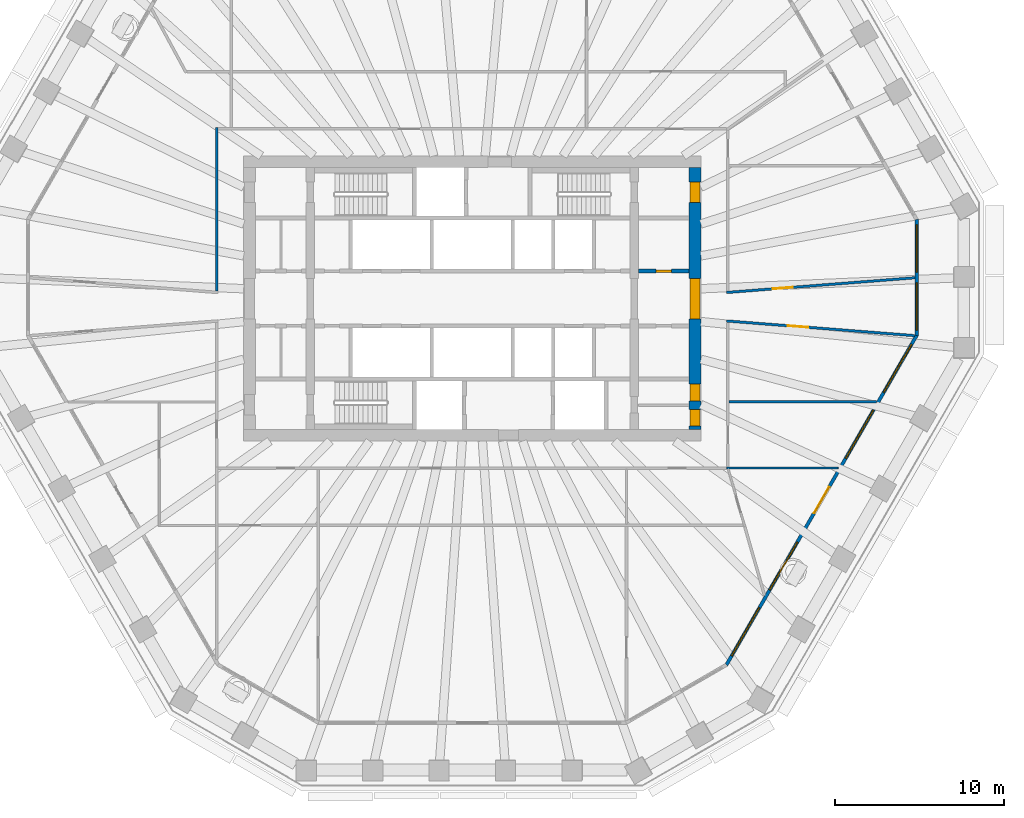
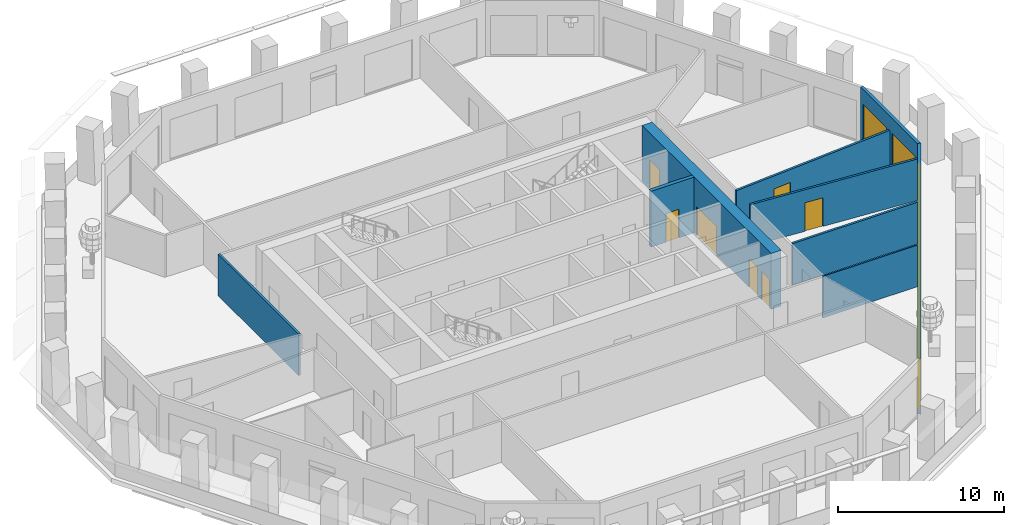
# One storey, part 6 of 13: 9 walls, 8 doors, 7 windows, 15 openings.
"""IFC4 building model written with IfcOpenShell, lengths in metres."""

from ifc_helpers import new_model, si_unit, direction, frame, frame_2d, origin, place, context, subcontext, project, spatial, polyline, rectangle, outline, extrude, material, layer, layer_set, type_object, element, fill, save


model = new_model("IFC4")

# Units and contexts
model_context = context("Model", 3, precision=1e-05, world=origin(), true_north=direction((0.0, 1.0)))
body_context = subcontext(model_context, "Body", "Model", "MODEL_VIEW")
ifc_project = project(units=[si_unit("LENGTHUNIT", "METRE"), si_unit("AREAUNIT", "SQUARE_METRE"), si_unit("VOLUMEUNIT", "CUBIC_METRE"), si_unit("PLANEANGLEUNIT", "RADIAN"), si_unit("MASSUNIT", "GRAM", prefix="KILO")], contexts=[model_context])

# Site, building, storey
site_placement = place(None, origin())
site = spatial("IfcSite", under=ifc_project, at=site_placement, CompositionType="ELEMENT")
building_placement = place(site_placement, origin())
building = spatial("IfcBuilding", under=site, at=building_placement, Name="Frailejon Research Tower", CompositionType="ELEMENT")
storey_placement = place(building_placement, frame((0.0, 0.0, 184.800048828125)))
storey = spatial("IfcBuildingStorey", under=building, at=storey_placement, Name="L40", CompositionType="ELEMENT", Elevation=184.800048828125)

# Wall, openings, doors
ifc_material_1 = material(Name="Concrete C60/75", Category="concrete")
ifc_layer_1 = layer(ifc_material_1, 0.699951171875)
ifc_layer_set_1 = layer_set([ifc_layer_1], Name="Core shear wall 700 C60/75")
wall_type_1 = type_object("IfcWallType", Name="Core shear wall 700 C60/75", PredefinedType="SHEAR", material=ifc_layer_set_1)
wall_1_placement = place(storey_placement, frame((13.199951171875, -7.75, 0.0), z_axis=(0.0, 0.0, 1.0), x_axis=(0.0, 1.0, 0.0)))
wall_1 = element("IfcWall", 1, at=wall_1_placement, inside=storey, type_object=wall_type_1, Name="Core shear wall", PredefinedType="SHEAR", context=body_context, shape_type="SweptSolid", body=[
    extrude(rectangle(XDim=15.5, YDim=0.699951171875, at=frame_2d((7.75, 0.0))), origin(), (0.0, 0.0, 1.0), 4.099853515625),
])
opening_1_placement = place(wall_1_placement, frame((6.550048828125, 0.0, 0.0)))
opening_1 = element("IfcOpeningElement", 2, at=opening_1_placement, cuts=wall_1, Name="Opening D2", PredefinedType="OPENING", context=body_context, shape_type="SweptSolid", body=[
    extrude(rectangle(XDim=2.39990234375, YDim=2.10009765625, at=frame_2d((1.199951171875, 1.050048828125))), frame((0.0, 0.35986328125, 0.0), z_axis=(0.0, -1.0, 0.0), x_axis=(1.0, 0.0, 0.0)), (0.0, 0.0, 1.0), 0.719970703125),
])
opening_2_placement = place(wall_1_placement, frame((13.449951171875, 0.0, 0.0)))
opening_2 = element("IfcOpeningElement", 3, at=opening_2_placement, cuts=wall_1, Name="Opening D7", PredefinedType="OPENING", context=body_context, shape_type="SweptSolid", body=[
    extrude(rectangle(XDim=1.199951171875, YDim=2.10009765625, at=frame_2d((0.60009765625, 1.050048828125))), frame((0.0, 0.35986328125, 0.0), z_axis=(0.0, -1.0, 0.0), x_axis=(1.0, 0.0, 0.0)), (0.0, 0.0, 1.0), 0.719970703125),
])
opening_3_placement = place(wall_1_placement, frame((0.181396484375, 0.0, 0.0)))
opening_3 = element("IfcOpeningElement", 4, at=opening_3_placement, cuts=wall_1, Name="Opening D4", PredefinedType="OPENING", context=body_context, shape_type="SweptSolid", body=[
    extrude(rectangle(XDim=1.0, YDim=2.10009765625, at=frame_2d((0.5, 1.050048828125))), frame((0.0, 0.35986328125, 0.0), z_axis=(0.0, -1.0, 0.0), x_axis=(1.0, 0.0, 0.0)), (0.0, 0.0, 1.0), 0.719970703125),
])
opening_4_placement = place(wall_1_placement, frame((1.668701171875, 0.0, 0.0)))
opening_4 = element("IfcOpeningElement", 5, at=opening_4_placement, cuts=wall_1, Name="Opening D4", PredefinedType="OPENING", context=body_context, shape_type="SweptSolid", body=[
    extrude(rectangle(XDim=1.0, YDim=2.10009765625, at=frame_2d((0.5, 1.050048828125))), frame((0.0, 0.35986328125, 0.0), z_axis=(0.0, -1.0, 0.0), x_axis=(1.0, 0.0, 0.0)), (0.0, 0.0, 1.0), 0.719970703125),
])
ifc_material_2 = material(Name="Steel", Category="steel")
door_type_1 = type_object("IfcDoorType", Name="Lobby double door", OperationType="DOUBLE_DOOR_SINGLE_SWING", PredefinedType="DOOR", material=ifc_material_2)
door_1_placement = place(opening_1_placement, origin())
door_1 = element("IfcDoor", 6, at=door_1_placement, inside=storey, type_object=door_type_1, Name="Lobby door", OperationType="DOUBLE_DOOR_SINGLE_SWING", OverallHeight=2.10009765625, OverallWidth=2.39990234375, PredefinedType="DOOR", context=body_context, shape_type="SweptSolid", body=[
    extrude(rectangle(XDim=2.39990234375, YDim=2.10009765625, at=frame_2d((1.199951171875, 1.050048828125))), frame((0.0, 0.300048828125, 0.0), z_axis=(0.0, -1.0, 0.0), x_axis=(1.0, 0.0, 0.0)), (0.0, 0.0, 1.0), 0.60009765625),
])
fill(opening_1, door_1)
ifc_material_3 = material(Name="Steel", Category="steel")
door_type_2 = type_object("IfcDoorType", Name="Service door", OperationType="SINGLE_SWING_LEFT", PredefinedType="DOOR", material=ifc_material_3)
door_2_placement = place(opening_3_placement, origin())
door_2 = element("IfcDoor", 7, at=door_2_placement, inside=storey, type_object=door_type_2, Name="Store door", OperationType="SINGLE_SWING_RIGHT", OverallHeight=2.10009765625, OverallWidth=1.0, PredefinedType="DOOR", context=body_context, shape_type="SweptSolid", body=[
    extrude(rectangle(XDim=1.0, YDim=2.10009765625, at=frame_2d((0.5, 1.050048828125))), frame((0.0, 0.300048828125, 0.0), z_axis=(0.0, -1.0, 0.0), x_axis=(1.0, 0.0, 0.0)), (0.0, 0.0, 1.0), 0.60009765625),
])
fill(opening_3, door_2)
door_3_placement = place(opening_4_placement, origin())
door_3 = element("IfcDoor", 8, at=door_3_placement, inside=storey, type_object=door_type_2, Name="Store door", OperationType="SINGLE_SWING_LEFT", OverallHeight=2.10009765625, OverallWidth=1.0, PredefinedType="DOOR", context=body_context, shape_type="SweptSolid", body=[
    extrude(rectangle(XDim=1.0, YDim=2.10009765625, at=frame_2d((0.5, 1.050048828125))), frame((0.0, 0.300048828125, 0.0), z_axis=(0.0, -1.0, 0.0), x_axis=(1.0, 0.0, 0.0)), (0.0, 0.0, 1.0), 0.60009765625),
])
fill(opening_4, door_3)
ifc_material_4 = material(Name="Steel", Category="steel")
door_type_3 = type_object("IfcDoorType", Name="Stair exit door", OperationType="SINGLE_SWING_LEFT", PredefinedType="DOOR", material=ifc_material_4)
door_4_placement = place(opening_2_placement, origin())
door_4 = element("IfcDoor", 9, at=door_4_placement, inside=storey, type_object=door_type_3, Name="Stair exit door ST3", OperationType="SINGLE_SWING_RIGHT", OverallHeight=2.10009765625, OverallWidth=1.199951171875, PredefinedType="DOOR", context=body_context, shape_type="SweptSolid", body=[
    extrude(rectangle(XDim=1.199951171875, YDim=2.10009765625, at=frame_2d((0.60009765625, 1.050048828125))), frame((0.0, 0.300048828125, 0.0), z_axis=(0.0, -1.0, 0.0), x_axis=(1.0, 0.0, 0.0)), (0.0, 0.0, 1.0), 0.60009765625),
])
fill(opening_2, door_4)

# Wall
ifc_material_5 = material(Name="Gypsum board and masonry partition", Category="masonry")
ifc_layer_2 = layer(ifc_material_5, 0.14990234375)
ifc_layer_set_2 = layer_set([ifc_layer_2], Name="Corridor wall EI 60, gypsum on steel studs 150")
wall_type_2 = type_object("IfcWallType", Name="Corridor wall EI 60, gypsum on steel studs 150", PredefinedType="PARTITIONING", material=ifc_layer_set_2)
wall_2_placement = place(storey_placement, frame((-15.14990234375, 0.4375, 0.0), z_axis=(0.0, 0.0, 1.0), x_axis=(0.0, 1.0, 0.0)))
element("IfcWall", 10, at=wall_2_placement, inside=storey, type_object=wall_type_2, Name="T:IW:L40:005", PredefinedType="PARTITIONING", context=body_context, shape_type="SweptSolid", body=[
    extrude(rectangle(XDim=9.6875, YDim=0.14990234375, at=frame_2d((4.84375, 0.0))), origin(), (0.0, 0.0, 1.0), 3.050048828125),
])

# Wall, opening, door
wall_3_placement = place(storey_placement, frame((15.0751953125, 0.356689453125, 0.0), z_axis=(0.0, 0.0, 1.0), x_axis=(0.996958619643, 0.077932732014, 0.0)))
wall_3 = element("IfcWall", 11, at=wall_3_placement, inside=storey, type_object=wall_type_2, Name="T:IW:L40:009", PredefinedType="PARTITIONING", context=body_context, shape_type="SweptSolid", body=[
    extrude(rectangle(XDim=11.18994140625, YDim=0.14990234375, at=frame_2d((5.594970703125, 0.0))), origin(), (0.0, 0.0, 1.0), 3.050048828125),
])
opening_5_placement = place(wall_3_placement, frame((2.728759765625, 0.0, 0.0)))
opening_5 = element("IfcOpeningElement", 12, at=opening_5_placement, cuts=wall_3, Name="Opening D1863", PredefinedType="OPENING", context=body_context, shape_type="SweptSolid", body=[
    extrude(rectangle(XDim=1.199951171875, YDim=2.10009765625, at=frame_2d((0.60009765625, 1.050048828125))), frame((0.0, 0.0849609375, 0.0), z_axis=(0.0, -1.0, 0.0), x_axis=(1.0, 0.0, 0.0)), (0.0, 0.0, 1.0), 0.169921875),
])
ifc_material_6 = material(Name="Timber door leaf", Category="wood")
door_type_4 = type_object("IfcDoorType", Name="Door laboratory, timber, vision panel 1200", OperationType="NOTDEFINED", PredefinedType="DOOR", material=ifc_material_6)
door_5_placement = place(opening_5_placement, origin())
door_5 = element("IfcDoor", 13, at=door_5_placement, inside=storey, type_object=door_type_4, Name="D1863", OperationType="DOUBLE_DOOR_SINGLE_SWING", OverallHeight=2.10009765625, OverallWidth=1.199951171875, PredefinedType="DOOR", context=body_context, shape_type="SweptSolid", body=[
    extrude(rectangle(XDim=1.199951171875, YDim=2.10009765625, at=frame_2d((0.60009765625, 1.050048828125))), frame((0.0, 0.02490234375, 0.0), z_axis=(0.0, -1.0, 0.0), x_axis=(1.0, 0.0, 0.0)), (0.0, 0.0, 1.0), 0.050048828125),
])
fill(opening_5, door_5)

wall_4_placement = place(storey_placement, frame((15.0751953125, -1.331787109375, 0.0), z_axis=(0.0, 0.0, 1.0), x_axis=(0.9969573922, -0.077948432559, 0.0)))
wall_4 = element("IfcWall", 14, at=wall_4_placement, inside=storey, type_object=wall_type_2, Name="T:IW:L40:010", PredefinedType="PARTITIONING", context=body_context, shape_type="SweptSolid", body=[
    extrude(rectangle(XDim=11.1689453125, YDim=0.14990234375, at=frame_2d((5.58447265625, 0.0))), origin(), (0.0, 0.0, 1.0), 3.050048828125),
])
opening_6_placement = place(wall_4_placement, frame((3.642822265625, 0.0, 0.0)))
opening_6 = element("IfcOpeningElement", 15, at=opening_6_placement, cuts=wall_4, Name="Opening D1882", PredefinedType="OPENING", context=body_context, shape_type="SweptSolid", body=[
    extrude(rectangle(XDim=1.199951171875, YDim=2.10009765625, at=frame_2d((0.60009765625, 1.050048828125))), frame((0.0, 0.0849609375, 0.0), z_axis=(0.0, -1.0, 0.0), x_axis=(1.0, 0.0, 0.0)), (0.0, 0.0, 1.0), 0.169921875),
])
door_6_placement = place(opening_6_placement, origin())
door_6 = element("IfcDoor", 16, at=door_6_placement, inside=storey, type_object=door_type_4, Name="D1882", OperationType="DOUBLE_DOOR_SINGLE_SWING", OverallHeight=2.10009765625, OverallWidth=1.199951171875, PredefinedType="DOOR", context=body_context, shape_type="SweptSolid", body=[
    extrude(rectangle(XDim=1.199951171875, YDim=2.10009765625, at=frame_2d((0.60009765625, 1.050048828125))), frame((0.0, 0.02490234375, 0.0), z_axis=(0.0, -1.0, 0.0), x_axis=(1.0, 0.0, 0.0)), (0.0, 0.0, 1.0), 0.050048828125),
])
fill(opening_6, door_6)

# Walls
ifc_material_7 = material(Name="Gypsum board and masonry partition", Category="masonry")
ifc_layer_3 = layer(ifc_material_7, 0.14990234375)
ifc_layer_set_3 = layer_set([ifc_layer_3], Name="Laboratory partition, blockwork 150")
wall_type_3 = type_object("IfcWallType", Name="Laboratory partition, blockwork 150", PredefinedType="PARTITIONING", material=ifc_layer_set_3)
wall_5_placement = place(storey_placement, frame((15.22509765625, -6.1318359375, 0.0), z_axis=(0.0, 0.0, 1.0), x_axis=(1.0, 0.0, 0.0)))
element("IfcWall", 17, at=wall_5_placement, inside=storey, type_object=wall_type_3, Name="T:IW:L40:023", PredefinedType="PARTITIONING", context=body_context, shape_type="SweptSolid", body=[
    extrude(rectangle(XDim=8.716552734375, YDim=0.14990234375, at=frame_2d((4.3583984375, 0.0))), origin(), (0.0, 0.0, 1.0), 3.050048828125),
])
ifc_material_8 = material(Name="Gypsum board and masonry partition", Category="masonry")
ifc_layer_4 = layer(ifc_material_8, 0.10009765625)
ifc_layer_set_4 = layer_set([ifc_layer_4], Name="Partition, gypsum on steel studs 100")
wall_type_4 = type_object("IfcWallType", Name="Partition, gypsum on steel studs 100", PredefinedType="PARTITIONING", material=ifc_layer_set_4)
wall_6_placement = place(storey_placement, frame((15.074951171875, -10.0439453125, 0.0), z_axis=(0.0, 0.0, 1.0), x_axis=(1.0, 0.0, 0.0)))
element("IfcWall", 18, at=wall_6_placement, inside=storey, type_object=wall_type_4, Name="T:IW:L40:029", PredefinedType="PARTITIONING", context=body_context, shape_type="SweptSolid", body=[
    extrude(rectangle(XDim=6.608154296875, YDim=0.10009765625, at=frame_2d((3.30419921875, 0.0))), origin(), (0.0, 0.0, 1.0), 3.050048828125),
])

# Wall, opening, door
ifc_material_9 = material(Name="Concrete C60/75", Category="concrete")
ifc_layer_5 = layer(ifc_material_9, 0.25)
ifc_layer_set_5 = layer_set([ifc_layer_5], Name="Shaft wall 250 C60/75")
wall_type_5 = type_object("IfcWallType", Name="Shaft wall 250 C60/75", PredefinedType="SOLIDWALL", material=ifc_layer_set_5)
wall_7_placement = place(storey_placement, frame((9.85009765625, 1.625, 0.0), z_axis=(0.0, 0.0, 1.0), x_axis=(1.0, 0.0, 0.0)))
wall_7 = element("IfcWall", 19, at=wall_7_placement, inside=storey, type_object=wall_type_5, Name="Shaft wall", PredefinedType="SOLIDWALL", context=body_context, shape_type="SweptSolid", body=[
    extrude(rectangle(XDim=3.0, YDim=0.25, at=frame_2d((1.5, 0.0))), origin(), (0.0, 0.0, 1.0), 4.099853515625),
])
opening_7_placement = place(wall_7_placement, frame((1.050048828125, 0.0, 0.0)))
opening_7 = element("IfcOpeningElement", 20, at=opening_7_placement, cuts=wall_7, Name="Opening D8", PredefinedType="OPENING", context=body_context, shape_type="SweptSolid", body=[
    extrude(rectangle(XDim=0.89990234375, YDim=2.10009765625, at=frame_2d((0.449951171875, 1.050048828125))), frame((0.0, 0.135009765625, 0.0), z_axis=(0.0, -1.0, 0.0), x_axis=(1.0, 0.0, 0.0)), (0.0, 0.0, 1.0), 0.27001953125),
])
ifc_material_10 = material(Name="Steel", Category="steel")
door_type_5 = type_object("IfcDoorType", Name="Core room door", OperationType="SINGLE_SWING_LEFT", PredefinedType="DOOR", material=ifc_material_10)
door_7_placement = place(opening_7_placement, origin())
door_7 = element("IfcDoor", 21, at=door_7_placement, inside=storey, type_object=door_type_5, Name="Room door", OperationType="SINGLE_SWING_RIGHT", OverallHeight=2.10009765625, OverallWidth=0.89990234375, PredefinedType="DOOR", context=body_context, shape_type="SweptSolid", body=[
    extrude(rectangle(XDim=0.89990234375, YDim=2.10009765625, at=frame_2d((0.449951171875, 1.050048828125))), frame((0.0, 0.074951171875, 0.0), z_axis=(0.0, -1.0, 0.0), x_axis=(1.0, 0.0, 0.0)), (0.0, 0.0, 1.0), 0.14990234375),
])
fill(opening_7, door_7)

# Wall, openings, windows
ifc_material_11 = material(Name="Concrete C40/50 precast window wall panel", Category="concrete")
ifc_layer_6 = layer(ifc_material_11, 0.199951171875)
ifc_layer_set_6 = layer_set([ifc_layer_6], Name="Window wall 200")
wall_type_6 = type_object("IfcWallType", Name="Window wall 200", PredefinedType="SOLIDWALL", material=ifc_layer_set_6)
wall_8_placement = place(storey_placement, frame((26.331298828125, -2.19287109375, 0.0), z_axis=(0.0, 0.0, 1.0), x_axis=(0.0, 1.0, 0.0)))
wall_8 = element("IfcWall", 22, at=wall_8_placement, inside=storey, type_object=wall_type_6, Name="Exterior wall L40", PredefinedType="SOLIDWALL", context=body_context, shape_type="SweptSolid", body=[
    extrude(outline(polyline([(-0.02685546875, -0.10009765625), (1.1279296875, -0.10009765625), (2.28271484375, -0.10009765625), (3.4375, -0.10009765625), (4.592041015625, -0.10009765625), (5.746826171875, -0.10009765625), (6.901611328125, -0.10009765625), (6.847900390625, 0.10009765625), (5.7109375, 0.10009765625), (4.57421875, 0.10009765625), (3.4375, 0.10009765625), (2.300537109375, 0.10009765625), (1.16357421875, 0.10009765625), (0.02685546875, 0.10009765625), (-0.02685546875, -0.10009765625)])), origin(), (0.0, 0.0, 1.0), 4.099853515625),
])
opening_8_placement = place(wall_8_placement, frame((0.318603515625, 0.0, 0.10009765625)))
opening_8 = element("IfcOpeningElement", 23, at=opening_8_placement, cuts=wall_8, Name="Opening W3", PredefinedType="OPENING", context=body_context, shape_type="SweptSolid", body=[
    extrude(rectangle(XDim=2.800048828125, YDim=2.89990234375, at=frame_2d((1.39990234375, 1.449951171875))), frame((0.0, 0.10986328125, 0.0), z_axis=(0.0, -1.0, 0.0), x_axis=(1.0, 0.0, 0.0)), (0.0, 0.0, 1.0), 0.219970703125),
])
opening_9_placement = place(wall_8_placement, frame((3.756103515625, 0.0, 0.10009765625)))
opening_9 = element("IfcOpeningElement", 24, at=opening_9_placement, cuts=wall_8, Name="Opening W3", PredefinedType="OPENING", context=body_context, shape_type="SweptSolid", body=[
    extrude(rectangle(XDim=2.800048828125, YDim=2.89990234375, at=frame_2d((1.39990234375, 1.449951171875))), frame((0.0, 0.10986328125, 0.0), z_axis=(0.0, -1.0, 0.0), x_axis=(1.0, 0.0, 0.0)), (0.0, 0.0, 1.0), 0.219970703125),
])
ifc_material_12 = material(Name="Aluminium framed double glazing", Category="aluminium")
window_type_1 = type_object("IfcWindowType", Name="Window 2800x2900", PartitioningType="SINGLE_PANEL", PredefinedType="WINDOW", material=ifc_material_12)
window_1_placement = place(opening_8_placement, origin())
window_1 = element("IfcWindow", 25, at=window_1_placement, inside=storey, type_object=window_type_1, Name="Window L40", OverallHeight=2.89990234375, OverallWidth=2.800048828125, PartitioningType="SINGLE_PANEL", PredefinedType="WINDOW", context=body_context, shape_type="SweptSolid", body=[
    extrude(rectangle(XDim=2.800048828125, YDim=2.89990234375, at=frame_2d((1.39990234375, 1.449951171875))), frame((0.0, 0.030029296875, 0.0), z_axis=(0.0, -1.0, 0.0), x_axis=(1.0, 0.0, 0.0)), (0.0, 0.0, 1.0), 0.06005859375),
])
fill(opening_8, window_1)
window_2_placement = place(opening_9_placement, origin())
window_2 = element("IfcWindow", 26, at=window_2_placement, inside=storey, type_object=window_type_1, Name="Window L40", OverallHeight=2.89990234375, OverallWidth=2.800048828125, PartitioningType="SINGLE_PANEL", PredefinedType="WINDOW", context=body_context, shape_type="SweptSolid", body=[
    extrude(rectangle(XDim=2.800048828125, YDim=2.89990234375, at=frame_2d((1.39990234375, 1.449951171875))), frame((0.0, 0.030029296875, 0.0), z_axis=(0.0, -1.0, 0.0), x_axis=(1.0, 0.0, 0.0)), (0.0, 0.0, 1.0), 0.06005859375),
])
fill(opening_9, window_2)

# Wall, openings, door, windows
wall_9_placement = place(storey_placement, frame((15.064697265625, -21.707275390625, 0.0), z_axis=(0.0, 0.0, 1.0), x_axis=(0.499998501835, 0.866026268748, 0.0)))
wall_9 = element("IfcWall", 27, at=wall_9_placement, inside=storey, type_object=wall_type_6, Name="Exterior wall L40", PredefinedType="SOLIDWALL", context=body_context, shape_type="SweptSolid", body=[
    extrude(outline(polyline([(-0.02685546875, -0.10009765625), (0.999755859375, -0.10009765625), (2.026611328125, -0.10009765625), (3.05322265625, -0.10009765625), (4.079833984375, -0.10009765625), (5.1064453125, -0.10009765625), (6.13330078125, -0.10009765625), (7.159912109375, -0.10009765625), (8.1865234375, -0.10009765625), (9.213134765625, -0.10009765625), (10.239990234375, -0.10009765625), (11.2666015625, -0.10009765625), (12.293212890625, -0.10009765625), (13.320068359375, -0.10009765625), (14.3466796875, -0.10009765625), (15.373291015625, -0.10009765625), (16.39990234375, -0.10009765625), (17.4267578125, -0.10009765625), (18.453369140625, -0.10009765625), (19.47998046875, -0.10009765625), (20.506591796875, -0.10009765625), (21.533447265625, -0.10009765625), (22.56005859375, -0.10009765625), (22.50634765625, 0.10009765625), (21.484619140625, 0.10009765625), (20.462646484375, 0.10009765625), (19.44091796875, 0.10009765625), (18.419189453125, 0.10009765625), (17.3974609375, 0.10009765625), (16.37548828125, 0.10009765625), (15.353759765625, 0.10009765625), (14.33203125, 0.10009765625), (13.310302734375, 0.10009765625), (12.288330078125, 0.10009765625), (11.2666015625, 0.10009765625), (10.244873046875, 0.10009765625), (9.222900390625, 0.10009765625), (8.201171875, 0.10009765625), (7.179443359375, 0.10009765625), (6.15771484375, 0.10009765625), (5.1357421875, 0.10009765625), (4.114013671875, 0.10009765625), (3.09228515625, 0.10009765625), (2.070556640625, 0.10009765625), (1.048583984375, 0.10009765625), (0.02685546875, 0.10009765625), (-0.02685546875, -0.10009765625)])), origin(), (0.0, 0.0, 1.0), 4.099853515625),
])
opening_10_placement = place(wall_9_placement, frame((0.603271484375, 0.0, 0.10009765625)))
opening_10 = element("IfcOpeningElement", 28, at=opening_10_placement, cuts=wall_9, Name="Opening W5", PredefinedType="OPENING", context=body_context, shape_type="SweptSolid", body=[
    extrude(rectangle(XDim=3.300048828125, YDim=2.89990234375, at=frame_2d((1.64990234375, 1.449951171875))), frame((0.0, 0.10986328125, 0.0), z_axis=(0.0, -1.0, 0.0), x_axis=(1.0, 0.0, 0.0)), (0.0, 0.0, 1.0), 0.219970703125),
])
opening_11_placement = place(wall_9_placement, frame((5.110107421875, 0.0, 0.10009765625)))
opening_11 = element("IfcOpeningElement", 29, at=opening_11_placement, cuts=wall_9, Name="Opening W5", PredefinedType="OPENING", context=body_context, shape_type="SweptSolid", body=[
    extrude(rectangle(XDim=3.300048828125, YDim=2.89990234375, at=frame_2d((1.64990234375, 1.449951171875))), frame((0.0, 0.10986328125, 0.0), z_axis=(0.0, -1.0, 0.0), x_axis=(1.0, 0.0, 0.0)), (0.0, 0.0, 1.0), 0.219970703125),
])
opening_12_placement = place(wall_9_placement, frame((10.36669921875, 0.0, 0.0)))
opening_12 = element("IfcOpeningElement", 30, at=opening_12_placement, cuts=wall_9, Name="Opening LG40-6", PredefinedType="OPENING", context=body_context, shape_type="SweptSolid", body=[
    extrude(rectangle(XDim=1.800048828125, YDim=2.39990234375, at=frame_2d((0.89990234375, 1.199951171875))), frame((0.0, 0.10986328125, 0.0), z_axis=(0.0, -1.0, 0.0), x_axis=(1.0, 0.0, 0.0)), (0.0, 0.0, 1.0), 0.219970703125),
])
opening_13_placement = place(wall_9_placement, frame((10.36669921875, 0.0, 2.550048828125)))
opening_13 = element("IfcOpeningElement", 31, at=opening_13_placement, cuts=wall_9, Name="Opening W1", PredefinedType="OPENING", context=body_context, shape_type="SweptSolid", body=[
    extrude(rectangle(XDim=1.800048828125, YDim=0.449951171875, at=frame_2d((0.89990234375, 0.22509765625))), frame((0.0, 0.10986328125, 0.0), z_axis=(0.0, -1.0, 0.0), x_axis=(1.0, 0.0, 0.0)), (0.0, 0.0, 1.0), 0.219970703125),
])
opening_14_placement = place(wall_9_placement, frame((14.123291015625, 0.0, 0.10009765625)))
opening_14 = element("IfcOpeningElement", 32, at=opening_14_placement, cuts=wall_9, Name="Opening W5", PredefinedType="OPENING", context=body_context, shape_type="SweptSolid", body=[
    extrude(rectangle(XDim=3.300048828125, YDim=2.89990234375, at=frame_2d((1.64990234375, 1.449951171875))), frame((0.0, 0.10986328125, 0.0), z_axis=(0.0, -1.0, 0.0), x_axis=(1.0, 0.0, 0.0)), (0.0, 0.0, 1.0), 0.219970703125),
])
opening_15_placement = place(wall_9_placement, frame((18.6298828125, 0.0, 0.10009765625)))
opening_15 = element("IfcOpeningElement", 33, at=opening_15_placement, cuts=wall_9, Name="Opening W5", PredefinedType="OPENING", context=body_context, shape_type="SweptSolid", body=[
    extrude(rectangle(XDim=3.300048828125, YDim=2.89990234375, at=frame_2d((1.64990234375, 1.449951171875))), frame((0.0, 0.10986328125, 0.0), z_axis=(0.0, -1.0, 0.0), x_axis=(1.0, 0.0, 0.0)), (0.0, 0.0, 1.0), 0.219970703125),
])
ifc_material_13 = material(Name="Aluminium framed glazed door leaf", Category="aluminium")
door_type_6 = type_object("IfcDoorType", Name="Loggia door 1800x2400", OperationType="DOUBLE_DOOR_SINGLE_SWING", PredefinedType="DOOR", material=ifc_material_13)
door_8_placement = place(opening_12_placement, origin())
door_8 = element("IfcDoor", 34, at=door_8_placement, inside=storey, type_object=door_type_6, Name="Door LG40-6", OperationType="DOUBLE_DOOR_SINGLE_SWING", OverallHeight=2.39990234375, OverallWidth=1.800048828125, PredefinedType="DOOR", context=body_context, shape_type="SweptSolid", body=[
    extrude(rectangle(XDim=1.800048828125, YDim=2.39990234375, at=frame_2d((0.89990234375, 1.199951171875))), frame((0.0, 0.02490234375, 0.0), z_axis=(0.0, -1.0, 0.0), x_axis=(1.0, 0.0, 0.0)), (0.0, 0.0, 1.0), 0.050048828125),
])
fill(opening_12, door_8)
ifc_material_14 = material(Name="Aluminium framed double glazing", Category="aluminium")
window_type_2 = type_object("IfcWindowType", Name="Window 1800x450", PartitioningType="SINGLE_PANEL", PredefinedType="WINDOW", material=ifc_material_14)
window_3_placement = place(opening_13_placement, origin())
window_3 = element("IfcWindow", 35, at=window_3_placement, inside=storey, type_object=window_type_2, Name="Window L40", OverallHeight=0.449951171875, OverallWidth=1.800048828125, PartitioningType="SINGLE_PANEL", PredefinedType="WINDOW", context=body_context, shape_type="SweptSolid", body=[
    extrude(rectangle(XDim=1.800048828125, YDim=0.449951171875, at=frame_2d((0.89990234375, 0.22509765625))), frame((0.0, 0.030029296875, 0.0), z_axis=(0.0, -1.0, 0.0), x_axis=(1.0, 0.0, 0.0)), (0.0, 0.0, 1.0), 0.06005859375),
])
fill(opening_13, window_3)
ifc_material_15 = material(Name="Aluminium framed double glazing", Category="aluminium")
window_type_3 = type_object("IfcWindowType", Name="Window 3300x2900", PartitioningType="SINGLE_PANEL", PredefinedType="WINDOW", material=ifc_material_15)
window_4_placement = place(opening_10_placement, origin())
window_4 = element("IfcWindow", 36, at=window_4_placement, inside=storey, type_object=window_type_3, Name="Window L40", OverallHeight=2.89990234375, OverallWidth=3.300048828125, PartitioningType="SINGLE_PANEL", PredefinedType="WINDOW", context=body_context, shape_type="SweptSolid", body=[
    extrude(rectangle(XDim=3.300048828125, YDim=2.89990234375, at=frame_2d((1.64990234375, 1.449951171875))), frame((0.0, 0.030029296875, 0.0), z_axis=(0.0, -1.0, 0.0), x_axis=(1.0, 0.0, 0.0)), (0.0, 0.0, 1.0), 0.06005859375),
])
fill(opening_10, window_4)
window_5_placement = place(opening_11_placement, origin())
window_5 = element("IfcWindow", 37, at=window_5_placement, inside=storey, type_object=window_type_3, Name="Window L40", OverallHeight=2.89990234375, OverallWidth=3.300048828125, PartitioningType="SINGLE_PANEL", PredefinedType="WINDOW", context=body_context, shape_type="SweptSolid", body=[
    extrude(rectangle(XDim=3.300048828125, YDim=2.89990234375, at=frame_2d((1.64990234375, 1.449951171875))), frame((0.0, 0.030029296875, 0.0), z_axis=(0.0, -1.0, 0.0), x_axis=(1.0, 0.0, 0.0)), (0.0, 0.0, 1.0), 0.06005859375),
])
fill(opening_11, window_5)
window_6_placement = place(opening_14_placement, origin())
window_6 = element("IfcWindow", 38, at=window_6_placement, inside=storey, type_object=window_type_3, Name="Window L40", OverallHeight=2.89990234375, OverallWidth=3.300048828125, PartitioningType="SINGLE_PANEL", PredefinedType="WINDOW", context=body_context, shape_type="SweptSolid", body=[
    extrude(rectangle(XDim=3.300048828125, YDim=2.89990234375, at=frame_2d((1.64990234375, 1.449951171875))), frame((0.0, 0.030029296875, 0.0), z_axis=(0.0, -1.0, 0.0), x_axis=(1.0, 0.0, 0.0)), (0.0, 0.0, 1.0), 0.06005859375),
])
fill(opening_14, window_6)
window_7_placement = place(opening_15_placement, origin())
window_7 = element("IfcWindow", 39, at=window_7_placement, inside=storey, type_object=window_type_3, Name="Window L40", OverallHeight=2.89990234375, OverallWidth=3.300048828125, PartitioningType="SINGLE_PANEL", PredefinedType="WINDOW", context=body_context, shape_type="SweptSolid", body=[
    extrude(rectangle(XDim=3.300048828125, YDim=2.89990234375, at=frame_2d((1.64990234375, 1.449951171875))), frame((0.0, 0.030029296875, 0.0), z_axis=(0.0, -1.0, 0.0), x_axis=(1.0, 0.0, 0.0)), (0.0, 0.0, 1.0), 0.06005859375),
])
fill(opening_15, window_7)

save(model, "model.ifc")
